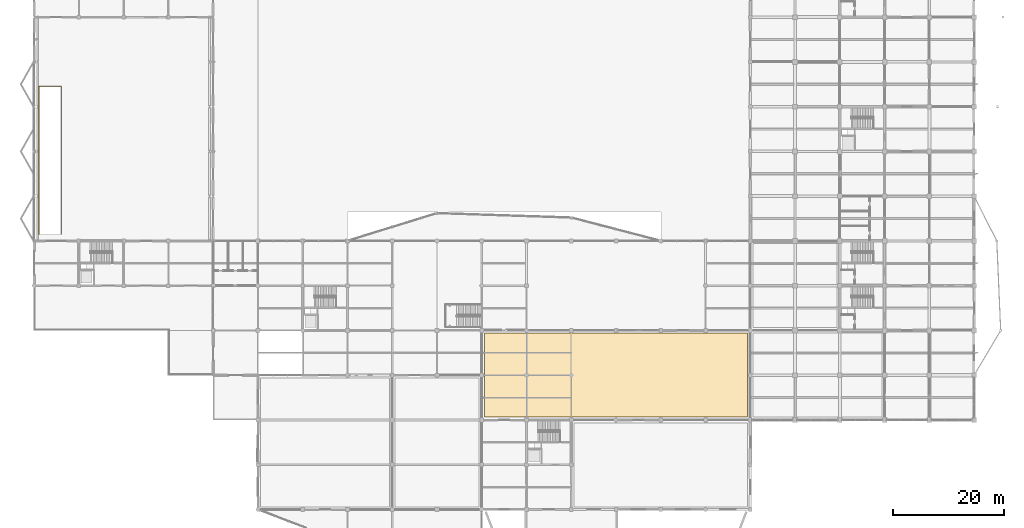
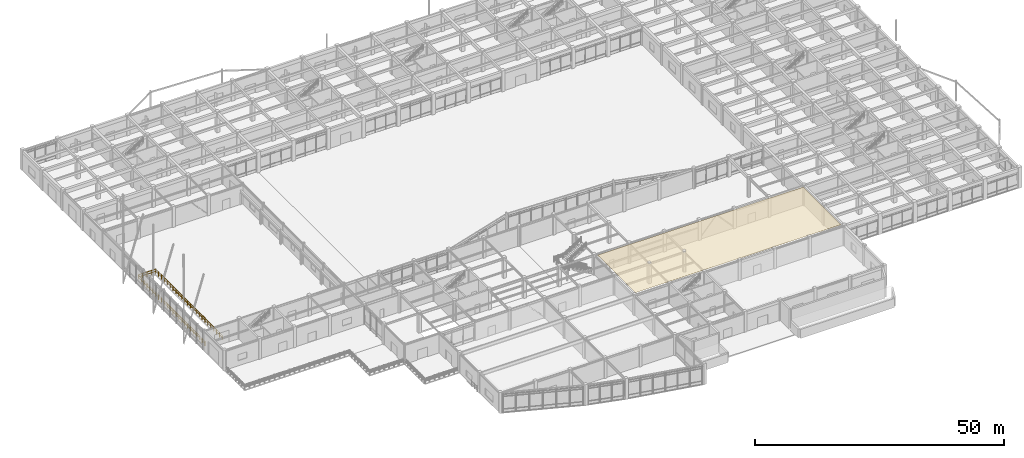
# One storey, part 91 of 99: 1 covering, 1 railing.
"""IFC4 building model written with IfcOpenShell, lengths in metres."""

from ifc_helpers import new_model, si_unit, direction, frame, origin, origin_2d, place, context, subcontext, project, spatial, polyline, circle, outline, extrude, material, layer, layer_set, type_object, element, save


model = new_model("IFC4")

# Units and contexts
model_context = context("Model", 3, precision=1e-05, world=origin(), true_north=direction((0.0, 1.0)))
body_context = subcontext(model_context, "Body", "Model", "MODEL_VIEW")
ifc_project = project(units=[si_unit("LENGTHUNIT", "METRE"), si_unit("AREAUNIT", "SQUARE_METRE"), si_unit("VOLUMEUNIT", "CUBIC_METRE"), si_unit("PLANEANGLEUNIT", "RADIAN"), si_unit("MASSUNIT", "GRAM", prefix="KILO")], contexts=[model_context])

# Site, building, storey
site_placement = place(None, origin())
site = spatial("IfcSite", under=ifc_project, at=site_placement, CompositionType="ELEMENT")
building_placement = place(site_placement, origin())
building = spatial("IfcBuilding", under=site, at=building_placement, Name="Vaudrelin Polytechnic", CompositionType="ELEMENT")
storey_placement = place(building_placement, origin())
storey = spatial("IfcBuildingStorey", under=building, at=storey_placement, Name="L00", CompositionType="ELEMENT", Elevation=0.0)

# Covering
ifc_material_1 = material(Name="Mineral-fibre acoustic ceiling tile NRC 0.85", Category="ceiling")
ifc_layer = layer(ifc_material_1, 0.02490234375)
ifc_layer_set = layer_set([ifc_layer], Name="Mineral-fibre acoustic ceiling tile NRC 0.85")
covering_type = type_object("IfcCoveringType", Name="COV-CLG-ACT", PredefinedType="CEILING", material=ifc_layer_set)
covering_placement = place(storey_placement, frame((0.0, 0.0, 4.794921875)))
element("IfcCovering", 1, at=covering_placement, inside=storey, type_object=covering_type, Name="Acoustic ceiling L00-011", PredefinedType="CEILING", context=body_context, shape_type="SweptSolid", body=[
    extrude(outline(polyline([(81.5, 16.699951171875), (129.10009765625, 16.699951171875), (129.10009765625, 31.89990234375), (81.5, 31.89990234375), (81.5, 16.699951171875)])), origin(), (0.0, 0.0, 1.0), 0.025146484375),
])

# Railing
ifc_material_2 = material(Name="Brushed stainless steel AISI 304", Category="steel")
railing_type = type_object("IfcRailingType", Name="RAL-GR-INT", PredefinedType="GUARDRAIL", material=ifc_material_2)
railing_placement = place(storey_placement, frame((4.89990234375, 49.800048828125, 0.0)))
element("IfcRailing", 2, at=railing_placement, inside=storey, type_object=railing_type, Name="Vehicle ramp well perimeter guardrail", PredefinedType="GUARDRAIL", context=body_context, shape_type="SweptSolid", body=[
    extrude(circle(Radius=0.02392578125, at=origin_2d()), frame((0.0, 0.023193359375, 1.09619140625), z_axis=(0.0, 1.0, 0.0), x_axis=(-1.0, 0.0, 0.0)), (0.0, 0.0, 1.0), 26.73388671875),
    extrude(circle(Radius=0.02392578125, at=origin_2d()), frame((0.0, 0.023193359375, 0.56005859375), z_axis=(0.0, 1.0, 0.0), x_axis=(-1.0, 0.0, 0.0)), (0.0, 0.0, 1.0), 26.73388671875),
    extrude(circle(Radius=0.02392578125, at=origin_2d()), frame((-0.023193359375, 26.780029296875, 1.09619140625), z_axis=(-1.0, 0.0, 0.0), x_axis=(0.0, -1.0, 0.0)), (0.0, 0.0, 1.0), 3.99365234375),
    extrude(circle(Radius=0.02392578125, at=origin_2d()), frame((-0.023193359375, 26.780029296875, 0.56005859375), z_axis=(-1.0, 0.0, 0.0), x_axis=(0.0, -1.0, 0.0)), (0.0, 0.0, 1.0), 3.99365234375),
    extrude(circle(Radius=0.02392578125, at=origin_2d()), frame((-4.039794921875, 26.7568359375, 1.09619140625), z_axis=(0.0, -1.0, 0.0), x_axis=(1.0, 0.0, 0.0)), (0.0, 0.0, 1.0), 26.73388671875),
    extrude(circle(Radius=0.02392578125, at=origin_2d()), frame((-4.039794921875, 26.7568359375, 0.56005859375), z_axis=(0.0, -1.0, 0.0), x_axis=(1.0, 0.0, 0.0)), (0.0, 0.0, 1.0), 26.73388671875),
    extrude(circle(Radius=0.02099609375, at=origin_2d()), origin(), (0.0, 0.0, 1.0), 1.1201171875),
    extrude(circle(Radius=0.02099609375, at=origin_2d()), frame((0.0, 1.164306640625, 0.0)), (0.0, 0.0, 1.0), 1.1201171875),
    extrude(circle(Radius=0.02099609375, at=origin_2d()), frame((0.0, 2.32861328125, 0.0)), (0.0, 0.0, 1.0), 1.1201171875),
    extrude(circle(Radius=0.02099609375, at=origin_2d()), frame((0.0, 3.4931640625, 0.0)), (0.0, 0.0, 1.0), 1.1201171875),
    extrude(circle(Radius=0.02099609375, at=origin_2d()), frame((0.0, 4.657470703125, 0.0)), (0.0, 0.0, 1.0), 1.1201171875),
    extrude(circle(Radius=0.02099609375, at=origin_2d()), frame((0.0, 5.82177734375, 0.0)), (0.0, 0.0, 1.0), 1.1201171875),
    extrude(circle(Radius=0.02099609375, at=origin_2d()), frame((0.0, 6.986083984375, 0.0)), (0.0, 0.0, 1.0), 1.1201171875),
    extrude(circle(Radius=0.02099609375, at=origin_2d()), frame((0.0, 8.150390625, 0.0)), (0.0, 0.0, 1.0), 1.1201171875),
    extrude(circle(Radius=0.02099609375, at=origin_2d()), frame((0.0, 9.314697265625, 0.0)), (0.0, 0.0, 1.0), 1.1201171875),
    extrude(circle(Radius=0.02099609375, at=origin_2d()), frame((0.0, 10.479248046875, 0.0)), (0.0, 0.0, 1.0), 1.1201171875),
    extrude(circle(Radius=0.02099609375, at=origin_2d()), frame((0.0, 11.6435546875, 0.0)), (0.0, 0.0, 1.0), 1.1201171875),
    extrude(circle(Radius=0.02099609375, at=origin_2d()), frame((0.0, 12.807861328125, 0.0)), (0.0, 0.0, 1.0), 1.1201171875),
    extrude(circle(Radius=0.02099609375, at=origin_2d()), frame((0.0, 13.97216796875, 0.0)), (0.0, 0.0, 1.0), 1.1201171875),
    extrude(circle(Radius=0.02099609375, at=origin_2d()), frame((0.0, 15.136474609375, 0.0)), (0.0, 0.0, 1.0), 1.1201171875),
    extrude(circle(Radius=0.02099609375, at=origin_2d()), frame((0.0, 16.30078125, 0.0)), (0.0, 0.0, 1.0), 1.1201171875),
    extrude(circle(Radius=0.02099609375, at=origin_2d()), frame((0.0, 17.46533203125, 0.0)), (0.0, 0.0, 1.0), 1.1201171875),
    extrude(circle(Radius=0.02099609375, at=origin_2d()), frame((0.0, 18.629638671875, 0.0)), (0.0, 0.0, 1.0), 1.1201171875),
    extrude(circle(Radius=0.02099609375, at=origin_2d()), frame((0.0, 19.7939453125, 0.0)), (0.0, 0.0, 1.0), 1.1201171875),
    extrude(circle(Radius=0.02099609375, at=origin_2d()), frame((0.0, 20.958251953125, 0.0)), (0.0, 0.0, 1.0), 1.1201171875),
    extrude(circle(Radius=0.02099609375, at=origin_2d()), frame((0.0, 22.12255859375, 0.0)), (0.0, 0.0, 1.0), 1.1201171875),
    extrude(circle(Radius=0.02099609375, at=origin_2d()), frame((0.0, 23.286865234375, 0.0)), (0.0, 0.0, 1.0), 1.1201171875),
    extrude(circle(Radius=0.02099609375, at=origin_2d()), frame((0.0, 24.451416015625, 0.0)), (0.0, 0.0, 1.0), 1.1201171875),
    extrude(circle(Radius=0.02099609375, at=origin_2d()), frame((0.0, 25.61572265625, 0.0)), (0.0, 0.0, 1.0), 1.1201171875),
    extrude(circle(Radius=0.02099609375, at=origin_2d()), frame((0.0, 26.780029296875, 0.0)), (0.0, 0.0, 1.0), 1.1201171875),
    extrude(circle(Radius=0.02099609375, at=origin_2d()), frame((-1.010009765625, 26.780029296875, 0.0)), (0.0, 0.0, 1.0), 1.1201171875),
    extrude(circle(Radius=0.02099609375, at=origin_2d()), frame((-2.02001953125, 26.780029296875, 0.0)), (0.0, 0.0, 1.0), 1.1201171875),
    extrude(circle(Radius=0.02099609375, at=origin_2d()), frame((-3.02978515625, 26.780029296875, 0.0)), (0.0, 0.0, 1.0), 1.1201171875),
    extrude(circle(Radius=0.02099609375, at=origin_2d()), frame((-4.039794921875, 26.780029296875, 0.0)), (0.0, 0.0, 1.0), 1.1201171875),
    extrude(circle(Radius=0.02099609375, at=origin_2d()), frame((-4.039794921875, 25.61572265625, 0.0)), (0.0, 0.0, 1.0), 1.1201171875),
    extrude(circle(Radius=0.02099609375, at=origin_2d()), frame((-4.039794921875, 24.451416015625, 0.0)), (0.0, 0.0, 1.0), 1.1201171875),
    extrude(circle(Radius=0.02099609375, at=origin_2d()), frame((-4.039794921875, 23.286865234375, 0.0)), (0.0, 0.0, 1.0), 1.1201171875),
    extrude(circle(Radius=0.02099609375, at=origin_2d()), frame((-4.039794921875, 22.12255859375, 0.0)), (0.0, 0.0, 1.0), 1.1201171875),
    extrude(circle(Radius=0.02099609375, at=origin_2d()), frame((-4.039794921875, 20.958251953125, 0.0)), (0.0, 0.0, 1.0), 1.1201171875),
    extrude(circle(Radius=0.02099609375, at=origin_2d()), frame((-4.039794921875, 19.7939453125, 0.0)), (0.0, 0.0, 1.0), 1.1201171875),
    extrude(circle(Radius=0.02099609375, at=origin_2d()), frame((-4.039794921875, 18.629638671875, 0.0)), (0.0, 0.0, 1.0), 1.1201171875),
    extrude(circle(Radius=0.02099609375, at=origin_2d()), frame((-4.039794921875, 17.46533203125, 0.0)), (0.0, 0.0, 1.0), 1.1201171875),
    extrude(circle(Radius=0.02099609375, at=origin_2d()), frame((-4.039794921875, 16.30078125, 0.0)), (0.0, 0.0, 1.0), 1.1201171875),
    extrude(circle(Radius=0.02099609375, at=origin_2d()), frame((-4.039794921875, 15.136474609375, 0.0)), (0.0, 0.0, 1.0), 1.1201171875),
    extrude(circle(Radius=0.02099609375, at=origin_2d()), frame((-4.039794921875, 13.97216796875, 0.0)), (0.0, 0.0, 1.0), 1.1201171875),
    extrude(circle(Radius=0.02099609375, at=origin_2d()), frame((-4.039794921875, 12.807861328125, 0.0)), (0.0, 0.0, 1.0), 1.1201171875),
    extrude(circle(Radius=0.02099609375, at=origin_2d()), frame((-4.039794921875, 11.6435546875, 0.0)), (0.0, 0.0, 1.0), 1.1201171875),
    extrude(circle(Radius=0.02099609375, at=origin_2d()), frame((-4.039794921875, 10.479248046875, 0.0)), (0.0, 0.0, 1.0), 1.1201171875),
    extrude(circle(Radius=0.02099609375, at=origin_2d()), frame((-4.039794921875, 9.314697265625, 0.0)), (0.0, 0.0, 1.0), 1.1201171875),
    extrude(circle(Radius=0.02099609375, at=origin_2d()), frame((-4.039794921875, 8.150390625, 0.0)), (0.0, 0.0, 1.0), 1.1201171875),
    extrude(circle(Radius=0.02099609375, at=origin_2d()), frame((-4.039794921875, 6.986083984375, 0.0)), (0.0, 0.0, 1.0), 1.1201171875),
    extrude(circle(Radius=0.02099609375, at=origin_2d()), frame((-4.039794921875, 5.82177734375, 0.0)), (0.0, 0.0, 1.0), 1.1201171875),
    extrude(circle(Radius=0.02099609375, at=origin_2d()), frame((-4.039794921875, 4.657470703125, 0.0)), (0.0, 0.0, 1.0), 1.1201171875),
    extrude(circle(Radius=0.02099609375, at=origin_2d()), frame((-4.039794921875, 3.4931640625, 0.0)), (0.0, 0.0, 1.0), 1.1201171875),
    extrude(circle(Radius=0.02099609375, at=origin_2d()), frame((-4.039794921875, 2.32861328125, 0.0)), (0.0, 0.0, 1.0), 1.1201171875),
    extrude(circle(Radius=0.02099609375, at=origin_2d()), frame((-4.039794921875, 1.164306640625, 0.0)), (0.0, 0.0, 1.0), 1.1201171875),
    extrude(circle(Radius=0.02099609375, at=origin_2d()), frame((-4.039794921875, 0.0, 0.0)), (0.0, 0.0, 1.0), 1.1201171875),
])

save(model, "model.ifc")
